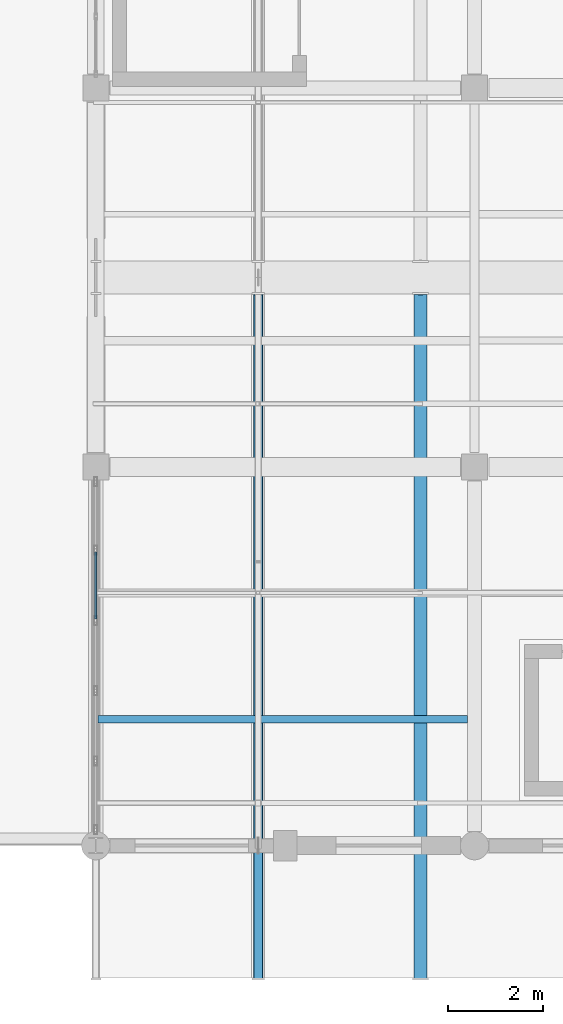
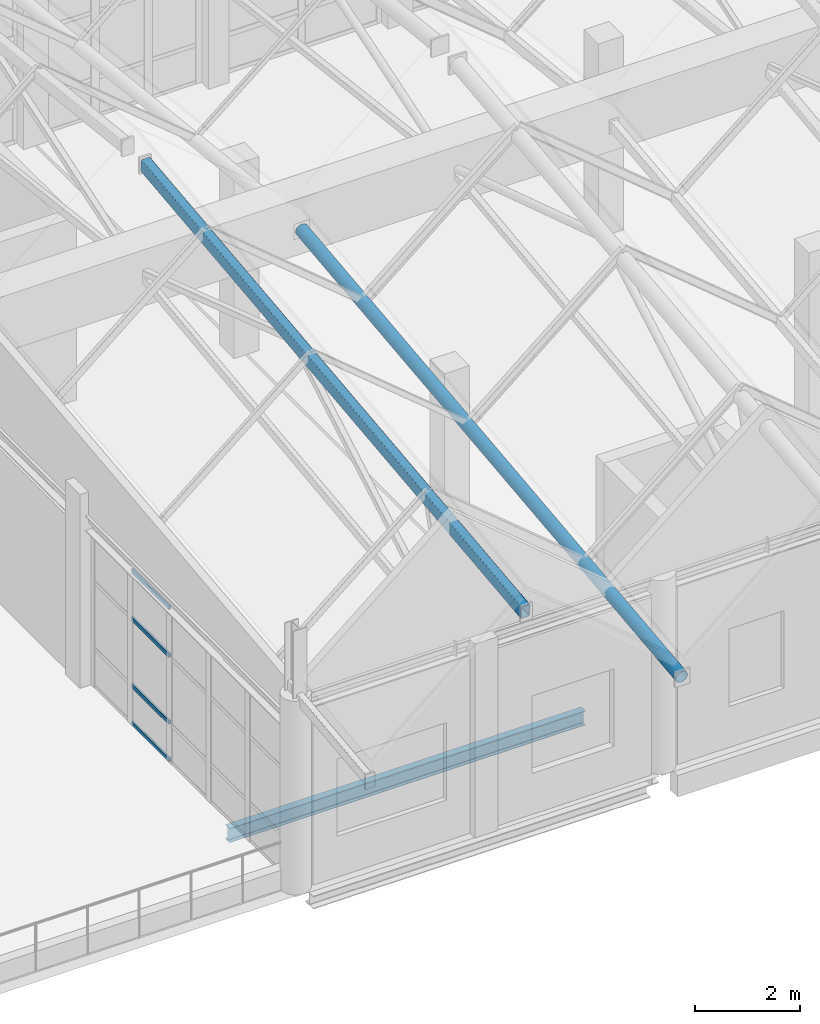
# One storey, part 53 of 183: 4 members, 3 beams, 1 element without a shape of its own.
"""IFC4 building model written with IfcOpenShell, lengths in metres."""

from ifc_helpers import new_model, si_unit, direction, frame, origin, origin_2d, place, context, subcontext, project, spatial, hollow_rectangle, hollow_circle, i_section, extrude, material, material_profile, profile_set, type_object, element, aggregate, save


model = new_model("IFC4")

# Units and contexts
model_context = context("Model", 3, precision=1e-05, world=origin(), true_north=direction((0.0, 1.0)))
body_context = subcontext(model_context, "Body", "Model", "MODEL_VIEW")
ifc_project = project(units=[si_unit("LENGTHUNIT", "METRE"), si_unit("AREAUNIT", "SQUARE_METRE"), si_unit("VOLUMEUNIT", "CUBIC_METRE"), si_unit("PLANEANGLEUNIT", "RADIAN"), si_unit("MASSUNIT", "GRAM", prefix="KILO")], contexts=[model_context])

# Site, building, storey
site_placement = place(None, origin())
site = spatial("IfcSite", under=ifc_project, at=site_placement, CompositionType="ELEMENT")
building_placement = place(site_placement, origin())
building = spatial("IfcBuilding", under=site, at=building_placement, Name="Luwemba Playhouse", CompositionType="ELEMENT")
storey_placement = place(building_placement, frame((0.0, 0.0, 4.800048828125)))
storey = spatial("IfcBuildingStorey", under=building, at=storey_placement, Name="L01", CompositionType="ELEMENT", Elevation=4.800048828125)

# Beams
ifc_material_1 = material(Name="Steel S355", Category="steel")
ifc_material_profile_1 = material_profile(ifc_material_1, hollow_rectangle(XDim=0.199951171875, YDim=0.300048828125, WallThickness=0.012451171875, InnerFilletRadius=0.018798828125, OuterFilletRadius=0.03125, at=origin_2d()))
ifc_profile_set_1 = profile_set([ifc_material_profile_1], Name="Steel S355")
beam_type_1 = type_object("IfcBeamType", Name="BM-RTG2", PredefinedType="USERDEFINED", material=ifc_profile_set_1)
beam_1_placement = place(storey_placement, frame((127.4287109375, 0.199951171875, 6.87060546875), z_axis=(0.0, 0.993786292845, 0.111305005073), x_axis=(-1.0, 0.0, 0.0)))
element("IfcBeam", 1, at=beam_1_placement, inside=storey, type_object=beam_type_1, Name="ROOF TRUSS ridge girder 0314", ObjectType="ROOF TRUSS", PredefinedType="USERDEFINED", context=body_context, shape_type="SweptSolid", body=[
    extrude(hollow_rectangle(XDim=0.199951171875, YDim=0.300048828125, WallThickness=0.012451171875, InnerFilletRadius=0.018798828125, OuterFilletRadius=0.03125, at=origin_2d()), origin(), (0.0, 0.0, 1.0), 14.540283203125),
])
ifc_material_profile_2 = material_profile(ifc_material_1, hollow_circle(Radius=0.136474609375, WallThickness=0.012451171875, at=origin_2d()))
ifc_profile_set_2 = profile_set([ifc_material_profile_2], Name="Steel S355")
beam_type_2 = type_object("IfcBeamType", Name="BM-RTG3", PredefinedType="USERDEFINED", material=ifc_profile_set_2)
beam_2_placement = place(storey_placement, frame((130.857177734375, 0.199951171875, 4.15478515625), z_axis=(0.0, 0.993786292845, 0.111305005073), x_axis=(-1.0, 0.0, 0.0)))
element("IfcBeam", 2, at=beam_2_placement, inside=storey, type_object=beam_type_2, Name="ROOF TRUSS valley girder 0316", ObjectType="ROOF TRUSS", PredefinedType="USERDEFINED", context=body_context, shape_type="SweptSolid", body=[
    extrude(hollow_circle(Radius=0.136474609375, WallThickness=0.012451171875, at=origin_2d()), origin(), (0.0, 0.0, 1.0), 14.540283203125),
])
ifc_material_profile_3 = material_profile(ifc_material_1, i_section(OverallWidth=0.159912109375, OverallDepth=0.330078125, WebThickness=0.007568359375, FlangeThickness=0.011474609375, FilletRadius=0.01806640625, at=origin_2d()))
ifc_profile_set_3 = profile_set([ifc_material_profile_3], Name="Steel S355")
beam_type_3 = type_object("IfcBeamType", Name="BM-SJ06", PredefinedType="JOIST", material=ifc_profile_set_3)
beam_3_placement = place(storey_placement, frame((124.0458984375, 5.666748046875, -0.4150390625), z_axis=(1.0, 0.0, 0.0), x_axis=(0.0, 1.0, 0.0)))
element("IfcBeam", 3, at=beam_3_placement, inside=storey, type_object=beam_type_3, Name="L01 composite floor joist 0307", PredefinedType="JOIST", context=body_context, shape_type="SweptSolid", body=[
    extrude(i_section(OverallWidth=0.159912109375, OverallDepth=0.330078125, WebThickness=0.007568359375, FlangeThickness=0.011474609375, FilletRadius=0.01806640625, at=origin_2d()), origin(), (0.0, 0.0, 1.0), 7.80810546875),
])

# Curtain wall, members
ifc_material_2 = material(Name="Solar-control double glazing", Category="glass")
curtain_wall_type = type_object("IfcCurtainWallType", Name="CW-CW115", PredefinedType="USERDEFINED", material=ifc_material_2)
curtain_wall_placement = place(storey_placement, origin())
curtain_wall = element("IfcCurtainWall", 4, at=curtain_wall_placement, inside=storey, type_object=curtain_wall_type, Name="L01 V5E unitised curtain wall 153", ObjectType="UNITISED GLAZING", PredefinedType="USERDEFINED")
ifc_material_3 = material(Name="Aluminium 6063-T6", Category="aluminium")
ifc_material_profile_4 = material_profile(ifc_material_3, hollow_rectangle(XDim=0.050048828125, YDim=0.10009765625, WallThickness=0.00341796875, InnerFilletRadius=0.00537109375, OuterFilletRadius=0.0087890625, at=origin_2d()))
ifc_profile_set_4 = profile_set([ifc_material_profile_4], Name="Aluminium 6063-T6")
member_type = type_object("IfcMemberType", Name="CWT-T4", PredefinedType="USERDEFINED", material=ifc_profile_set_4)
member_1_placement = place(storey_placement, frame((124.0, 7.7900390625, 0.02490234375), z_axis=(0.0, 1.0, 0.0), x_axis=(-1.0, 0.0, 0.0)))
member_1 = element("IfcMember", 5, at=member_1_placement, type_object=member_type, Name="CW115 transom 4.1", ObjectType="TRANSOM", PredefinedType="USERDEFINED", context=body_context, shape_type="SweptSolid", body=[
    extrude(hollow_rectangle(XDim=0.050048828125, YDim=0.10009765625, WallThickness=0.00341796875, InnerFilletRadius=0.00537109375, OuterFilletRadius=0.0087890625, at=origin_2d()), origin(), (0.0, 0.0, 1.0), 1.4150390625),
])
member_2_placement = place(storey_placement, frame((124.0, 7.7900390625, 0.89990234375), z_axis=(0.0, 1.0, 0.0), x_axis=(-1.0, 0.0, 0.0)))
member_2 = element("IfcMember", 6, at=member_2_placement, type_object=member_type, Name="CW115 transom 4.2", ObjectType="TRANSOM", PredefinedType="USERDEFINED", context=body_context, shape_type="SweptSolid", body=[
    extrude(hollow_rectangle(XDim=0.050048828125, YDim=0.10009765625, WallThickness=0.00341796875, InnerFilletRadius=0.00537109375, OuterFilletRadius=0.0087890625, at=origin_2d()), origin(), (0.0, 0.0, 1.0), 1.4150390625),
])
member_3_placement = place(storey_placement, frame((124.0, 7.7900390625, 2.449951171875), z_axis=(0.0, 1.0, 0.0), x_axis=(-1.0, 0.0, 0.0)))
member_3 = element("IfcMember", 7, at=member_3_placement, type_object=member_type, Name="CW115 transom 4.3", ObjectType="TRANSOM", PredefinedType="USERDEFINED", context=body_context, shape_type="SweptSolid", body=[
    extrude(hollow_rectangle(XDim=0.050048828125, YDim=0.10009765625, WallThickness=0.00341796875, InnerFilletRadius=0.00537109375, OuterFilletRadius=0.0087890625, at=origin_2d()), origin(), (0.0, 0.0, 1.0), 1.4150390625),
])
member_4_placement = place(storey_placement, frame((124.0, 7.7900390625, 3.56005859375), z_axis=(0.0, 1.0, 0.0), x_axis=(-1.0, 0.0, 0.0)))
member_4 = element("IfcMember", 8, at=member_4_placement, type_object=member_type, Name="CW115 transom 4.4", ObjectType="TRANSOM", PredefinedType="USERDEFINED", context=body_context, shape_type="SweptSolid", body=[
    extrude(hollow_rectangle(XDim=0.050048828125, YDim=0.10009765625, WallThickness=0.00341796875, InnerFilletRadius=0.00537109375, OuterFilletRadius=0.0087890625, at=origin_2d()), origin(), (0.0, 0.0, 1.0), 1.4150390625),
])
aggregate(curtain_wall, [member_1, member_2, member_3, member_4])

save(model, "model.ifc")
